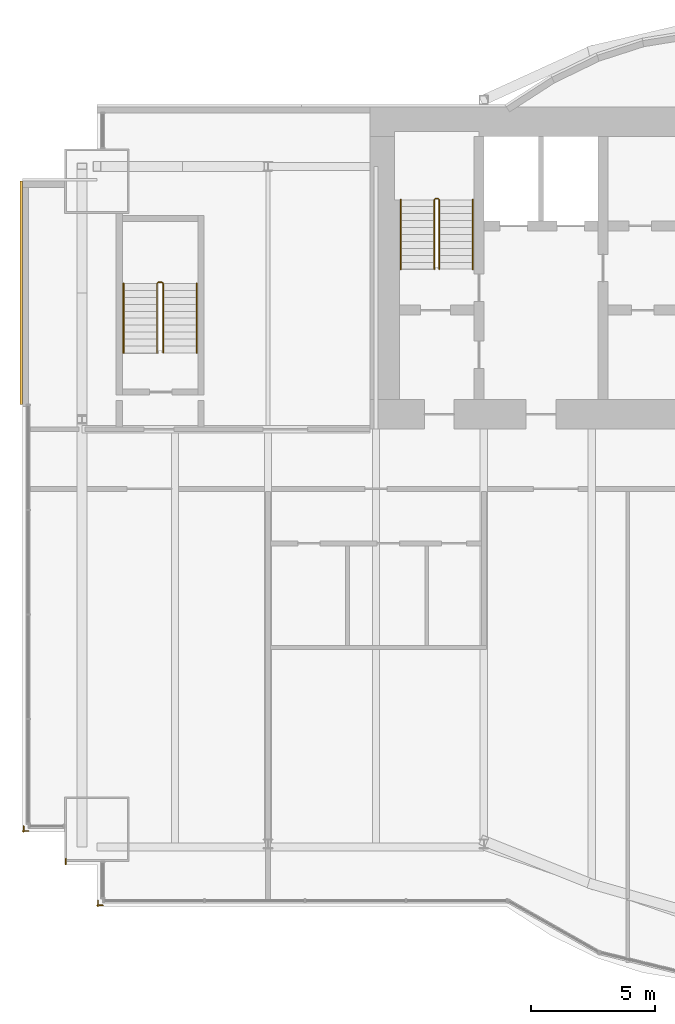
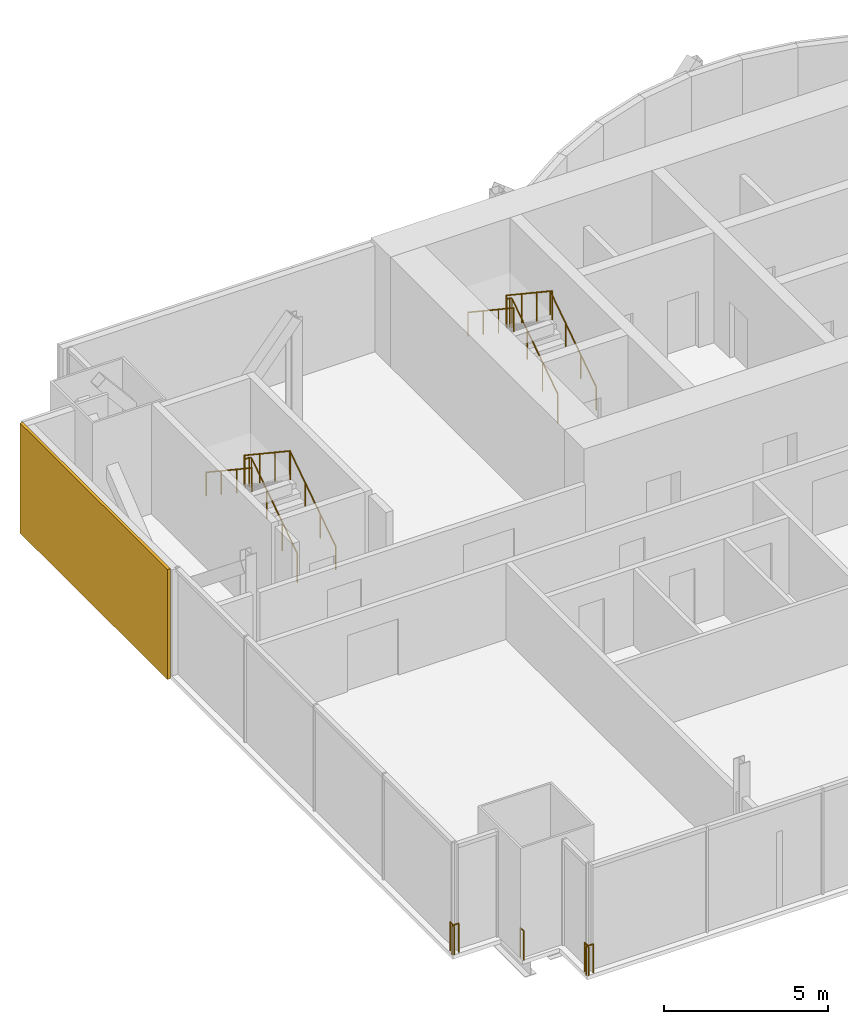
# One storey, part 18 of 20: 9 railings, 1 covering.
"""IFC4 building model written with IfcOpenShell, lengths in metres."""

from ifc_helpers import new_model, si_unit, direction, frame, origin, origin_2d, place, context, subcontext, project, spatial, rectangle, circle, extrude, material, layer, layer_set, type_object, element, save


model = new_model("IFC4")

# Units and contexts
model_context = context("Model", 3, precision=1e-05, world=origin(), true_north=direction((0.0, 1.0)))
body_context = subcontext(model_context, "Body", "Model", "MODEL_VIEW")
ifc_project = project(units=[si_unit("LENGTHUNIT", "METRE"), si_unit("AREAUNIT", "SQUARE_METRE"), si_unit("VOLUMEUNIT", "CUBIC_METRE"), si_unit("PLANEANGLEUNIT", "RADIAN"), si_unit("MASSUNIT", "GRAM", prefix="KILO")], contexts=[model_context])

# Site, building, storey
site_placement = place(None, origin())
site = spatial("IfcSite", under=ifc_project, at=site_placement, CompositionType="ELEMENT")
building_placement = place(site_placement, origin())
building = spatial("IfcBuilding", under=site, at=building_placement, Name="Bicima Exchange Tower", CompositionType="ELEMENT")
storey_placement = place(building_placement, frame((0.0, 0.0, 207.300048828125)))
storey = spatial("IfcBuildingStorey", under=building, at=storey_placement, Name="L46", CompositionType="ELEMENT", Elevation=207.300048828125)

# Covering
ifc_material_1 = material(Name="Bronze metal cladding")
ifc_layer_1 = layer(ifc_material_1, 0.004)
ifc_material_2 = material(Name="Ventilated cavity")
ifc_layer_2 = layer(ifc_material_2, 0.06)
ifc_material_3 = material(Name="Galvanised steel rail and mineral wool", Category="steel")
ifc_layer_3 = layer(ifc_material_3, 0.036)
ifc_layer_set = layer_set([ifc_layer_1, ifc_layer_2, ifc_layer_3], Name="Ventilated cavity")
covering_type = type_object("IfcCoveringType", Name="Bronze metal cladding panel 100", PredefinedType="CLADDING", material=ifc_layer_set)
covering_placement = place(storey_placement, frame((-36.050048828125, -7.5, -0.150146484375), z_axis=(0.0, 0.0, 1.0), x_axis=(0.0, -1.0, 0.0)))
element("IfcCovering", 1, at=covering_placement, inside=storey, type_object=covering_type, Name="Bronze cladding L46 23.1", PredefinedType="CLADDING", context=body_context, shape_type="SweptSolid", body=[
    extrude(rectangle(XDim=9.0, YDim=0.10009765625, at=origin_2d()), origin(), (0.0, 0.0, 1.0), 4.10009765625),
])

# Railings
ifc_material_4 = material(Name="Stainless steel and bonded safety glass", Category="steel")
railing_type_1 = type_object("IfcRailingType", Name="Edge guard 1100", PredefinedType="GUARDRAIL", material=ifc_material_4)
railing_1_placement = place(storey_placement, frame((-35.757080078125, -29.18994140625, 0.0)))
element("IfcRailing", 2, at=railing_1_placement, inside=storey, type_object=railing_type_1, Name="Edge guard L46 231", PredefinedType="GUARDRAIL", context=body_context, shape_type="SweptSolid", body=[
    extrude(circle(Radius=0.02392578125, at=origin_2d()), frame((0.0, 0.0, 1.076171875), z_axis=(-1.0, 0.0, 0.0), x_axis=(0.0, -1.0, 0.0)), (0.0, 0.0, 1.0), 0.242919921875),
    extrude(circle(Radius=0.02392578125, at=origin_2d()), frame((-0.242919921875, 0.0, 1.076171875), z_axis=(0.707106781187, -0.707106781187, 0.0), x_axis=(0.707106781187, 0.707106781187, 0.0)), (0.0, 0.0, 1.0), 0.07080078125),
    extrude(circle(Radius=0.02392578125, at=origin_2d()), frame((-0.19287109375, -0.050048828125, 1.076171875), z_axis=(0.0, 1.0, 0.0), x_axis=(-1.0, 0.0, 0.0)), (0.0, 0.0, 1.0), 0.25),
    extrude(circle(Radius=0.02099609375, at=origin_2d()), origin(), (0.0, 0.0, 1.0), 1.052001953125),
    extrude(circle(Radius=0.02099609375, at=origin_2d()), frame((-0.242919921875, 0.0, 0.0)), (0.0, 0.0, 1.0), 1.052001953125),
    extrude(circle(Radius=0.02099609375, at=origin_2d()), frame((-0.19287109375, -0.050048828125, 0.0)), (0.0, 0.0, 1.0), 1.052001953125),
    extrude(circle(Radius=0.02099609375, at=origin_2d()), frame((-0.19287109375, 0.199951171875, 0.0)), (0.0, 0.0, 1.0), 1.052001953125),
])
railing_2_placement = place(storey_placement, frame((-32.75, -32.18994140625, 0.0)))
element("IfcRailing", 3, at=railing_2_placement, inside=storey, type_object=railing_type_1, Name="Edge guard L46 235", PredefinedType="GUARDRAIL", context=body_context, shape_type="SweptSolid", body=[
    extrude(circle(Radius=0.02392578125, at=origin_2d()), frame((0.0, 0.0, 1.076171875), z_axis=(-1.0, 0.0, 0.0), x_axis=(0.0, -1.0, 0.0)), (0.0, 0.0, 1.0), 0.25),
    extrude(circle(Radius=0.02392578125, at=origin_2d()), frame((-0.25, 0.0, 1.076171875), z_axis=(0.707106781187, -0.707106781187, 0.0), x_axis=(0.707106781187, 0.707106781187, 0.0)), (0.0, 0.0, 1.0), 0.07080078125),
    extrude(circle(Radius=0.02392578125, at=origin_2d()), frame((-0.199951171875, -0.050048828125, 1.076171875), z_axis=(0.0, 1.0, 0.0), x_axis=(-1.0, 0.0, 0.0)), (0.0, 0.0, 1.0), 0.242919921875),
    extrude(circle(Radius=0.02099609375, at=origin_2d()), origin(), (0.0, 0.0, 1.0), 1.052001953125),
    extrude(circle(Radius=0.02099609375, at=origin_2d()), frame((-0.25, 0.0, 0.0)), (0.0, 0.0, 1.0), 1.052001953125),
    extrude(circle(Radius=0.02099609375, at=origin_2d()), frame((-0.199951171875, -0.050048828125, 0.0)), (0.0, 0.0, 1.0), 1.052001953125),
    extrude(circle(Radius=0.02099609375, at=origin_2d()), frame((-0.199951171875, 0.19287109375, 0.0)), (0.0, 0.0, 1.0), 1.052001953125),
])
railing_3_placement = place(storey_placement, frame((-34.25, -30.5400390625, 0.0)))
element("IfcRailing", 4, at=railing_3_placement, inside=storey, type_object=railing_type_1, Name="Edge guard L46 236", PredefinedType="GUARDRAIL", context=body_context, shape_type="SweptSolid", body=[
    extrude(circle(Radius=0.02392578125, at=origin_2d()), frame((0.0, 0.0, 1.076171875), z_axis=(0.0, 1.0, 0.0), x_axis=(-1.0, 0.0, 0.0)), (0.0, 0.0, 1.0), 0.217041015625),
    extrude(circle(Radius=0.02099609375, at=origin_2d()), origin(), (0.0, 0.0, 1.0), 1.052001953125),
    extrude(circle(Radius=0.02099609375, at=origin_2d()), frame((0.0, 0.217041015625, 0.0)), (0.0, 0.0, 1.0), 1.052001953125),
])
ifc_material_5 = material(Name="Stainless steel", Category="steel")
railing_type_2 = type_object("IfcRailingType", Name="Stair guard 1100", PredefinedType="GUARDRAIL", material=ifc_material_5)
railing_4_placement = place(storey_placement, frame((-19.199951171875, -6.550048828125, 0.186279296875)))
element("IfcRailing", 5, at=railing_4_placement, inside=storey, type_object=railing_type_2, Name="L46 ST-W stair guard 1", PredefinedType="GUARDRAIL", context=body_context, shape_type="SweptSolid", body=[
    extrude(circle(Radius=0.02392578125, at=origin_2d()), frame((0.0, 0.0, 1.076171875), z_axis=(0.0, 0.832452072856, 0.554097055034), x_axis=(-1.0, 0.0, 0.0)), (0.0, 0.0, 1.0), 3.363525390625),
    extrude(circle(Radius=0.02392578125, at=origin_2d()), frame((0.0, 2.800048828125, 2.93994140625), z_axis=(-0.707106781187, 0.707106781187, 0.0), x_axis=(-0.707106781187, -0.707106781187, 0.0)), (0.0, 0.0, 1.0), 0.07080078125),
    extrude(circle(Radius=0.02392578125, at=origin_2d()), frame((-0.050048828125, 2.85009765625, 2.93994140625), z_axis=(-1.0, 0.0, 0.0), x_axis=(0.0, -1.0, 0.0)), (0.0, 0.0, 1.0), 0.10009765625),
    extrude(circle(Radius=0.02392578125, at=origin_2d()), frame((-0.150146484375, 2.85009765625, 2.93994140625), z_axis=(-0.250008635948, -0.251234168477, 0.935081319748), x_axis=(0.708833529934, -0.705375805398, 0.0)), (0.0, 0.0, 1.0), 0.19921875),
    extrude(circle(Radius=0.02392578125, at=origin_2d()), frame((-0.199951171875, 2.800048828125, 3.1259765625), z_axis=(0.0, -0.832485552168, 0.554046753832), x_axis=(1.0, 0.0, 0.0)), (0.0, 0.0, 1.0), 3.363525390625),
    extrude(circle(Radius=0.02099609375, at=origin_2d()), origin(), (0.0, 0.0, 1.0), 1.052001953125),
    extrude(circle(Radius=0.02099609375, at=origin_2d()), frame((0.0, 0.933349609375, 0.621337890625)), (0.0, 0.0, 1.0), 1.052001953125),
    extrude(circle(Radius=0.02099609375, at=origin_2d()), frame((0.0, 1.86669921875, 1.242431640625)), (0.0, 0.0, 1.0), 1.052001953125),
    extrude(circle(Radius=0.02099609375, at=origin_2d()), frame((0.0, 2.800048828125, 1.86376953125)), (0.0, 0.0, 1.0), 1.052001953125),
    extrude(circle(Radius=0.02099609375, at=origin_2d()), frame((-0.050048828125, 2.85009765625, 1.86376953125)), (0.0, 0.0, 1.0), 1.052001953125),
    extrude(circle(Radius=0.02099609375, at=origin_2d()), frame((-0.150146484375, 2.85009765625, 1.86376953125)), (0.0, 0.0, 1.0), 1.052001953125),
    extrude(circle(Radius=0.02099609375, at=origin_2d()), frame((-0.199951171875, 2.800048828125, 2.050048828125)), (0.0, 0.0, 1.0), 1.052001953125),
    extrude(circle(Radius=0.02099609375, at=origin_2d()), frame((-0.199951171875, 1.86669921875, 2.671142578125)), (0.0, 0.0, 1.0), 1.052001953125),
    extrude(circle(Radius=0.02099609375, at=origin_2d()), frame((-0.199951171875, 0.933349609375, 3.29248046875)), (0.0, 0.0, 1.0), 1.052001953125),
    extrude(circle(Radius=0.02099609375, at=origin_2d()), frame((-0.199951171875, 0.0, 3.91357421875)), (0.0, 0.0, 1.0), 1.052001953125),
])
railing_5_placement = place(storey_placement, frame((-30.324951171875, -9.925048828125, 0.186279296875)))
element("IfcRailing", 6, at=railing_5_placement, inside=storey, type_object=railing_type_2, Name="L46 ST-WW stair guard 1", PredefinedType="GUARDRAIL", context=body_context, shape_type="SweptSolid", body=[
    extrude(circle(Radius=0.02392578125, at=origin_2d()), frame((0.0, 0.0, 1.076171875), z_axis=(0.0, 0.832452072856, 0.554097055034), x_axis=(-1.0, 0.0, 0.0)), (0.0, 0.0, 1.0), 3.363525390625),
    extrude(circle(Radius=0.02392578125, at=origin_2d()), frame((0.0, 2.800048828125, 2.93994140625), z_axis=(-0.707106781187, 0.707106781187, 0.0), x_axis=(-0.707106781187, -0.707106781187, 0.0)), (0.0, 0.0, 1.0), 0.07080078125),
    extrude(circle(Radius=0.02392578125, at=origin_2d()), frame((-0.050048828125, 2.85009765625, 2.93994140625), z_axis=(-1.0, 0.0, 0.0), x_axis=(0.0, -1.0, 0.0)), (0.0, 0.0, 1.0), 0.14990234375),
    extrude(circle(Radius=0.02392578125, at=origin_2d()), frame((-0.199951171875, 2.85009765625, 2.93994140625), z_axis=(-0.251157038772, -0.251157038772, 0.934794246747), x_axis=(0.707106781187, -0.707106781187, 0.0)), (0.0, 0.0, 1.0), 0.19921875),
    extrude(circle(Radius=0.02392578125, at=origin_2d()), frame((-0.25, 2.800048828125, 3.1259765625), z_axis=(0.0, -0.832485552168, 0.554046753832), x_axis=(1.0, 0.0, 0.0)), (0.0, 0.0, 1.0), 3.363525390625),
    extrude(circle(Radius=0.02099609375, at=origin_2d()), origin(), (0.0, 0.0, 1.0), 1.052001953125),
    extrude(circle(Radius=0.02099609375, at=origin_2d()), frame((0.0, 0.933349609375, 0.621337890625)), (0.0, 0.0, 1.0), 1.052001953125),
    extrude(circle(Radius=0.02099609375, at=origin_2d()), frame((0.0, 1.86669921875, 1.242431640625)), (0.0, 0.0, 1.0), 1.052001953125),
    extrude(circle(Radius=0.02099609375, at=origin_2d()), frame((0.0, 2.800048828125, 1.86376953125)), (0.0, 0.0, 1.0), 1.052001953125),
    extrude(circle(Radius=0.02099609375, at=origin_2d()), frame((-0.050048828125, 2.85009765625, 1.86376953125)), (0.0, 0.0, 1.0), 1.052001953125),
    extrude(circle(Radius=0.02099609375, at=origin_2d()), frame((-0.199951171875, 2.85009765625, 1.86376953125)), (0.0, 0.0, 1.0), 1.052001953125),
    extrude(circle(Radius=0.02099609375, at=origin_2d()), frame((-0.25, 2.800048828125, 2.050048828125)), (0.0, 0.0, 1.0), 1.052001953125),
    extrude(circle(Radius=0.02099609375, at=origin_2d()), frame((-0.25, 1.86669921875, 2.671142578125)), (0.0, 0.0, 1.0), 1.052001953125),
    extrude(circle(Radius=0.02099609375, at=origin_2d()), frame((-0.25, 0.933349609375, 3.29248046875)), (0.0, 0.0, 1.0), 1.052001953125),
    extrude(circle(Radius=0.02099609375, at=origin_2d()), frame((-0.25, 0.0, 3.91357421875)), (0.0, 0.0, 1.0), 1.052001953125),
])
railing_type_3 = type_object("IfcRailingType", Name="Stair handrail 900", PredefinedType="HANDRAIL", material=ifc_material_5)
railing_6_placement = place(storey_placement, frame((-17.85009765625, -6.550048828125, 0.186279296875)))
element("IfcRailing", 7, at=railing_6_placement, inside=storey, type_object=railing_type_3, Name="L46 ST-W stair handrail 1", PredefinedType="HANDRAIL", context=body_context, shape_type="SweptSolid", body=[
    extrude(circle(Radius=0.02392578125, at=origin_2d()), frame((0.0, 0.0, 0.8759765625), z_axis=(0.0, 0.832452072856, 0.554097055034), x_axis=(-1.0, 0.0, 0.0)), (0.0, 0.0, 1.0), 3.363525390625),
    extrude(circle(Radius=0.02099609375, at=origin_2d()), origin(), (0.0, 0.0, 1.0), 0.851806640625),
    extrude(circle(Radius=0.02099609375, at=origin_2d()), frame((0.0, 0.933349609375, 0.621337890625)), (0.0, 0.0, 1.0), 0.851806640625),
    extrude(circle(Radius=0.02099609375, at=origin_2d()), frame((0.0, 1.86669921875, 1.242431640625)), (0.0, 0.0, 1.0), 0.851806640625),
    extrude(circle(Radius=0.02099609375, at=origin_2d()), frame((0.0, 2.800048828125, 1.86376953125)), (0.0, 0.0, 1.0), 0.851806640625),
])
railing_7_placement = place(storey_placement, frame((-20.75, -3.75, 2.276611328125)))
element("IfcRailing", 8, at=railing_7_placement, inside=storey, type_object=railing_type_3, Name="L46 ST-W stair handrail 2", PredefinedType="HANDRAIL", context=body_context, shape_type="SweptSolid", body=[
    extrude(circle(Radius=0.02392578125, at=origin_2d()), frame((0.0, 0.0, 0.8759765625), z_axis=(0.0, -0.832452072856, 0.554097055034), x_axis=(1.0, 0.0, 0.0)), (0.0, 0.0, 1.0), 3.363525390625),
    extrude(circle(Radius=0.02099609375, at=origin_2d()), origin(), (0.0, 0.0, 1.0), 0.851806640625),
    extrude(circle(Radius=0.02099609375, at=origin_2d()), frame((0.0, -0.933349609375, 0.621337890625)), (0.0, 0.0, 1.0), 0.851806640625),
    extrude(circle(Radius=0.02099609375, at=origin_2d()), frame((0.0, -1.86669921875, 1.242431640625)), (0.0, 0.0, 1.0), 0.851806640625),
    extrude(circle(Radius=0.02099609375, at=origin_2d()), frame((0.0, -2.800048828125, 1.86376953125)), (0.0, 0.0, 1.0), 0.851806640625),
])
railing_8_placement = place(storey_placement, frame((-28.97509765625, -9.925048828125, 0.186279296875)))
element("IfcRailing", 9, at=railing_8_placement, inside=storey, type_object=railing_type_3, Name="L46 ST-WW stair handrail 1", PredefinedType="HANDRAIL", context=body_context, shape_type="SweptSolid", body=[
    extrude(circle(Radius=0.02392578125, at=origin_2d()), frame((0.0, 0.0, 0.8759765625), z_axis=(0.0, 0.832452072856, 0.554097055034), x_axis=(-1.0, 0.0, 0.0)), (0.0, 0.0, 1.0), 3.363525390625),
    extrude(circle(Radius=0.02099609375, at=origin_2d()), origin(), (0.0, 0.0, 1.0), 0.851806640625),
    extrude(circle(Radius=0.02099609375, at=origin_2d()), frame((0.0, 0.933349609375, 0.621337890625)), (0.0, 0.0, 1.0), 0.851806640625),
    extrude(circle(Radius=0.02099609375, at=origin_2d()), frame((0.0, 1.86669921875, 1.242431640625)), (0.0, 0.0, 1.0), 0.851806640625),
    extrude(circle(Radius=0.02099609375, at=origin_2d()), frame((0.0, 2.800048828125, 1.86376953125)), (0.0, 0.0, 1.0), 0.851806640625),
])
railing_9_placement = place(storey_placement, frame((-31.925048828125, -7.125, 2.276611328125)))
element("IfcRailing", 10, at=railing_9_placement, inside=storey, type_object=railing_type_3, Name="L46 ST-WW stair handrail 2", PredefinedType="HANDRAIL", context=body_context, shape_type="SweptSolid", body=[
    extrude(circle(Radius=0.02392578125, at=origin_2d()), frame((0.0, 0.0, 0.8759765625), z_axis=(0.0, -0.832452072856, 0.554097055034), x_axis=(1.0, 0.0, 0.0)), (0.0, 0.0, 1.0), 3.363525390625),
    extrude(circle(Radius=0.02099609375, at=origin_2d()), origin(), (0.0, 0.0, 1.0), 0.851806640625),
    extrude(circle(Radius=0.02099609375, at=origin_2d()), frame((0.0, -0.933349609375, 0.621337890625)), (0.0, 0.0, 1.0), 0.851806640625),
    extrude(circle(Radius=0.02099609375, at=origin_2d()), frame((0.0, -1.86669921875, 1.242431640625)), (0.0, 0.0, 1.0), 0.851806640625),
    extrude(circle(Radius=0.02099609375, at=origin_2d()), frame((0.0, -2.800048828125, 1.86376953125)), (0.0, 0.0, 1.0), 0.851806640625),
])

save(model, "model.ifc")
